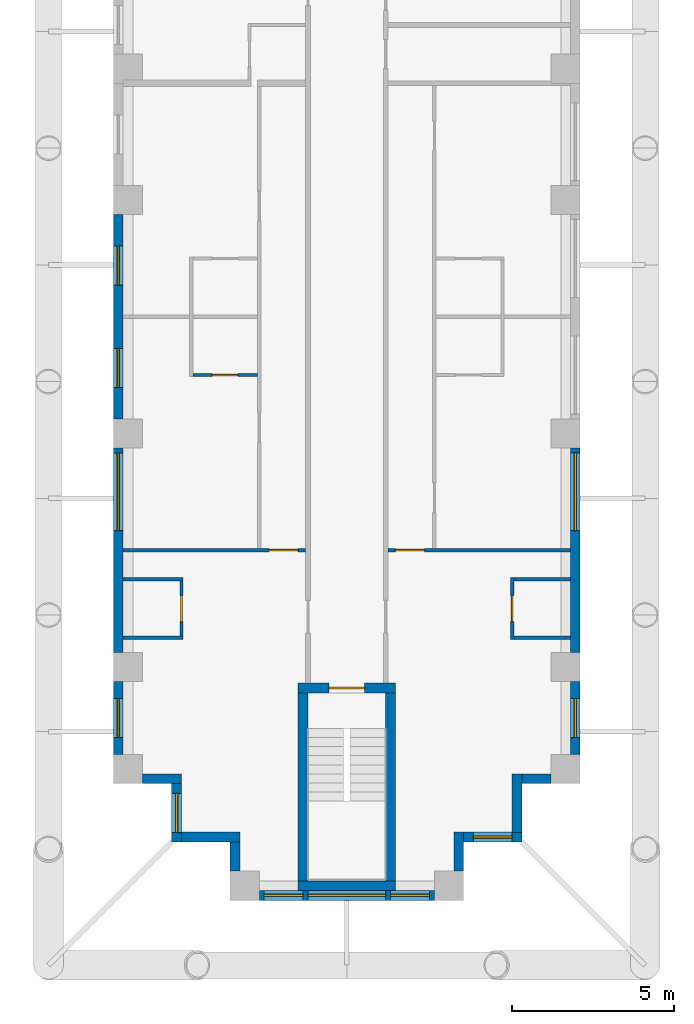
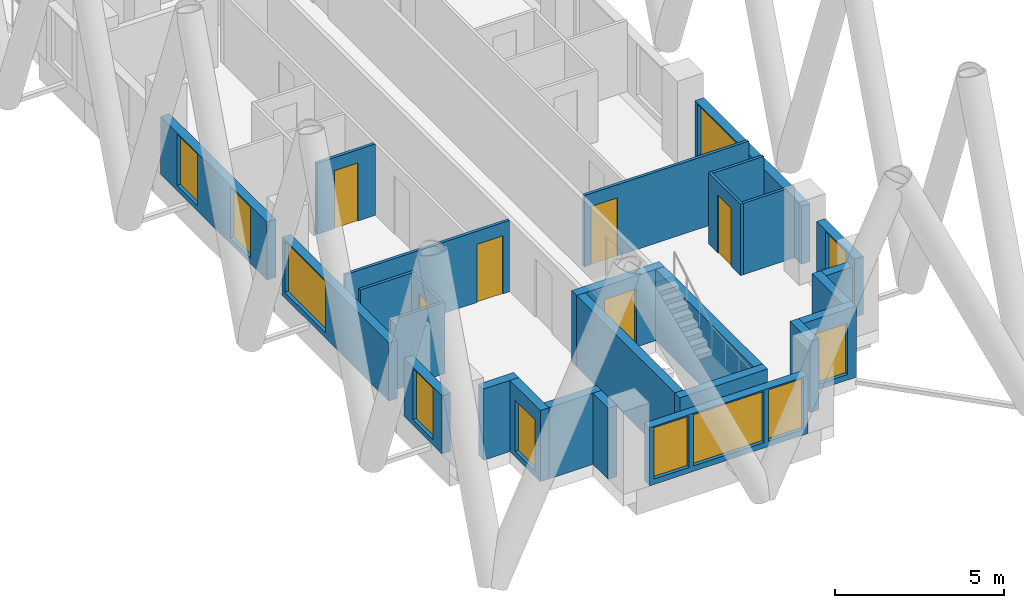
# One storey, part 4 of 17: 27 walls, 11 windows, 6 doors, 17 openings.
"""IFC4 building model written with IfcOpenShell, lengths in metres."""

from ifc_helpers import new_model, si_unit, direction, frame, frame_2d, origin, place, context, subcontext, project, spatial, rectangle, extrude, material, layer, layer_set, type_object, element, fill, save


model = new_model("IFC4")

# Units and contexts
model_context = context("Model", 3, precision=1e-05, world=origin(), true_north=direction((0.0, 1.0)))
body_context = subcontext(model_context, "Body", "Model", "MODEL_VIEW")
ifc_project = project(units=[si_unit("LENGTHUNIT", "METRE"), si_unit("AREAUNIT", "SQUARE_METRE"), si_unit("VOLUMEUNIT", "CUBIC_METRE"), si_unit("PLANEANGLEUNIT", "RADIAN"), si_unit("MASSUNIT", "GRAM", prefix="KILO")], contexts=[model_context])

# Site, building, storey
site_placement = place(None, origin())
site = spatial("IfcSite", under=ifc_project, at=site_placement, CompositionType="ELEMENT")
building_placement = place(site_placement, origin())
building = spatial("IfcBuilding", under=site, at=building_placement, Name="Fustian Cross Tower", CompositionType="ELEMENT")
storey_placement = place(building_placement, frame((0.0, 0.0, 56.699951171875)))
storey = spatial("IfcBuildingStorey", under=building, at=storey_placement, Name="L17", CompositionType="ELEMENT", Elevation=56.699951171875)

# Walls
ifc_material_1 = material(Name="Plasterboard on steel stud", Category="steel")
ifc_layer_1 = layer(ifc_material_1, 0.10009765625)
ifc_layer_set_1 = layer_set([ifc_layer_1], Name="Plasterboard on steel stud")
wall_type_1 = type_object("IfcWallType", Name="PARTITION 100 STUD", PredefinedType="PARTITIONING", material=ifc_layer_set_1)
for number, where, z_axis, x_axis, name in (
    (1, (-6.89990234375, -35.10009765625, 0.0), (0.0, 0.0, 1.0), (1.0, 0.0, 0.0), "Partition 14"),
    (2, (-6.89990234375, -33.300048828125, 0.0), (0.0, 0.0, 1.0), (1.0, 0.0, 0.0), "Partition 15"),
):
    element("IfcWall", number, at=place(storey_placement, frame(where, z_axis=z_axis, x_axis=x_axis)), inside=storey, type_object=wall_type_1, Name=name, PredefinedType="PARTITIONING", context=body_context, shape_type="SweptSolid", body=[
        extrude(rectangle(XDim=1.849853515625, YDim=0.10009765625, at=frame_2d((0.9248046875, 0.0))), origin(), (0.0, 0.0, 1.0), 2.574951171875),
    ])

# Wall, opening, door
wall_1_placement = place(storey_placement, frame((-6.89990234375, -32.39990234375, 0.0), z_axis=(0.0, 0.0, 1.0), x_axis=(1.0, 0.0, 0.0)))
wall_1 = element("IfcWall", 3, at=wall_1_placement, inside=storey, type_object=wall_type_1, Name="Partition 16", PredefinedType="PARTITIONING", context=body_context, shape_type="SweptSolid", body=[
    extrude(rectangle(XDim=5.625, YDim=0.10009765625, at=frame_2d((2.8125, 0.0))), origin(), (0.0, 0.0, 1.0), 2.574951171875),
])
opening_1_placement = place(wall_1_placement, frame((4.5, 0.0, 0.0)))
opening_1 = element("IfcOpeningElement", 4, at=opening_1_placement, cuts=wall_1, Name="Opening D09072", PredefinedType="OPENING", context=body_context, shape_type="SweptSolid", body=[
    extrude(rectangle(XDim=0.89990234375, YDim=2.10009765625, at=frame_2d((0.449951171875, 1.050048828125))), frame((0.0, 0.06005859375, 0.0), z_axis=(0.0, -1.0, 0.0), x_axis=(1.0, 0.0, 0.0)), (0.0, 0.0, 1.0), 0.1201171875),
])
ifc_material_2 = material(Name="Painted timber", Category="wood")
door_type_1 = type_object("IfcDoorType", Name="SWING DOOR 900", OperationType="SINGLE_SWING_LEFT", PredefinedType="DOOR", material=ifc_material_2)
door_1_placement = place(opening_1_placement, origin())
door_1 = element("IfcDoor", 5, at=door_1_placement, inside=storey, type_object=door_type_1, Name="Door D09072", OperationType="SINGLE_SWING_LEFT", OverallHeight=2.10009765625, OverallWidth=0.89990234375, PredefinedType="DOOR", context=body_context, shape_type="SweptSolid", body=[
    extrude(rectangle(XDim=0.89990234375, YDim=2.10009765625, at=frame_2d((0.449951171875, 1.050048828125))), frame((0.0, 0.02490234375, 0.0), z_axis=(0.0, -1.0, 0.0), x_axis=(1.0, 0.0, 0.0)), (0.0, 0.0, 1.0), 0.050048828125),
])
fill(opening_1, door_1)

wall_2_placement = place(storey_placement, frame((-5.10009765625, -35.050048828125, 0.0), z_axis=(0.0, 0.0, 1.0), x_axis=(0.0, 1.0, 0.0)))
wall_2 = element("IfcWall", 6, at=wall_2_placement, inside=storey, type_object=wall_type_1, Name="Partition 24", PredefinedType="PARTITIONING", context=body_context, shape_type="SweptSolid", body=[
    extrude(rectangle(XDim=1.699951171875, YDim=0.10009765625, at=frame_2d((0.85009765625, 0.0))), origin(), (0.0, 0.0, 1.0), 2.574951171875),
])
opening_2_placement = place(wall_2_placement, frame((0.449951171875, 0.0, 0.0)))
opening_2 = element("IfcOpeningElement", 7, at=opening_2_placement, cuts=wall_2, Name="Opening D09068", PredefinedType="OPENING", context=body_context, shape_type="SweptSolid", body=[
    extrude(rectangle(XDim=0.800048828125, YDim=2.10009765625, at=frame_2d((0.39990234375, 1.050048828125))), frame((0.0, 0.06005859375, 0.0), z_axis=(0.0, -1.0, 0.0), x_axis=(1.0, 0.0, 0.0)), (0.0, 0.0, 1.0), 0.1201171875),
])
ifc_material_3 = material(Name="Painted timber", Category="wood")
door_type_2 = type_object("IfcDoorType", Name="SWING DOOR 800", OperationType="SINGLE_SWING_LEFT", PredefinedType="DOOR", material=ifc_material_3)
door_2_placement = place(opening_2_placement, origin())
door_2 = element("IfcDoor", 8, at=door_2_placement, inside=storey, type_object=door_type_2, Name="Door D09068", OperationType="SINGLE_SWING_RIGHT", OverallHeight=2.10009765625, OverallWidth=0.800048828125, PredefinedType="DOOR", context=body_context, shape_type="SweptSolid", body=[
    extrude(rectangle(XDim=0.800048828125, YDim=2.10009765625, at=frame_2d((0.39990234375, 1.050048828125))), frame((0.0, 0.02490234375, 0.0), z_axis=(0.0, -1.0, 0.0), x_axis=(1.0, 0.0, 0.0)), (0.0, 0.0, 1.0), 0.050048828125),
])
fill(opening_2, door_2)

wall_3_placement = place(storey_placement, frame((-4.75, -27.0, 0.0), z_axis=(0.0, 0.0, 1.0), x_axis=(1.0, 0.0, 0.0)))
wall_3 = element("IfcWall", 9, at=wall_3_placement, inside=storey, type_object=wall_type_1, Name="Partition 26", PredefinedType="PARTITIONING", context=body_context, shape_type="SweptSolid", body=[
    extrude(rectangle(XDim=2.0, YDim=0.10009765625, at=frame_2d((1.0, 0.0))), origin(), (0.0, 0.0, 1.0), 2.574951171875),
])
opening_3_placement = place(wall_3_placement, frame((0.60009765625, 0.0, 0.0)))
opening_3 = element("IfcOpeningElement", 10, at=opening_3_placement, cuts=wall_3, Name="Opening D09074", PredefinedType="OPENING", context=body_context, shape_type="SweptSolid", body=[
    extrude(rectangle(XDim=0.800048828125, YDim=2.10009765625, at=frame_2d((0.39990234375, 1.050048828125))), frame((0.0, 0.06005859375, 0.0), z_axis=(0.0, -1.0, 0.0), x_axis=(1.0, 0.0, 0.0)), (0.0, 0.0, 1.0), 0.1201171875),
])
door_3_placement = place(opening_3_placement, origin())
door_3 = element("IfcDoor", 11, at=door_3_placement, inside=storey, type_object=door_type_2, Name="Door D09074", OperationType="SINGLE_SWING_LEFT", OverallHeight=2.10009765625, OverallWidth=0.800048828125, PredefinedType="DOOR", context=body_context, shape_type="SweptSolid", body=[
    extrude(rectangle(XDim=0.800048828125, YDim=2.10009765625, at=frame_2d((0.39990234375, 1.050048828125))), frame((0.0, 0.02490234375, 0.0), z_axis=(0.0, -1.0, 0.0), x_axis=(1.0, 0.0, 0.0)), (0.0, 0.0, 1.0), 0.050048828125),
])
fill(opening_3, door_3)

wall_4_placement = place(storey_placement, frame((1.27490234375, -32.39990234375, 0.0), z_axis=(0.0, 0.0, 1.0), x_axis=(1.0, 0.0, 0.0)))
wall_4 = element("IfcWall", 12, at=wall_4_placement, inside=storey, type_object=wall_type_1, Name="Partition 49", PredefinedType="PARTITIONING", context=body_context, shape_type="SweptSolid", body=[
    extrude(rectangle(XDim=5.625, YDim=0.10009765625, at=frame_2d((2.8125, 0.0))), origin(), (0.0, 0.0, 1.0), 2.574951171875),
])
opening_4_placement = place(wall_4_placement, frame((0.22509765625, 0.0, 0.0)))
opening_4 = element("IfcOpeningElement", 13, at=opening_4_placement, cuts=wall_4, Name="Opening D09059", PredefinedType="OPENING", context=body_context, shape_type="SweptSolid", body=[
    extrude(rectangle(XDim=0.89990234375, YDim=2.10009765625, at=frame_2d((0.449951171875, 1.050048828125))), frame((0.0, 0.06005859375, 0.0), z_axis=(0.0, -1.0, 0.0), x_axis=(1.0, 0.0, 0.0)), (0.0, 0.0, 1.0), 0.1201171875),
])
door_4_placement = place(opening_4_placement, origin())
door_4 = element("IfcDoor", 14, at=door_4_placement, inside=storey, type_object=door_type_1, Name="Door D09059", OperationType="SINGLE_SWING_LEFT", OverallHeight=2.10009765625, OverallWidth=0.89990234375, PredefinedType="DOOR", context=body_context, shape_type="SweptSolid", body=[
    extrude(rectangle(XDim=0.89990234375, YDim=2.10009765625, at=frame_2d((0.449951171875, 1.050048828125))), frame((0.0, 0.02490234375, 0.0), z_axis=(0.0, -1.0, 0.0), x_axis=(1.0, 0.0, 0.0)), (0.0, 0.0, 1.0), 0.050048828125),
])
fill(opening_4, door_4)

wall_5_placement = place(storey_placement, frame((5.10009765625, -35.14990234375, 0.0), z_axis=(0.0, 0.0, 1.0), x_axis=(0.0, 1.0, 0.0)))
wall_5 = element("IfcWall", 15, at=wall_5_placement, inside=storey, type_object=wall_type_1, Name="Partition 80", PredefinedType="PARTITIONING", context=body_context, shape_type="SweptSolid", body=[
    extrude(rectangle(XDim=1.89990234375, YDim=0.10009765625, at=frame_2d((0.949951171875, 0.0))), origin(), (0.0, 0.0, 1.0), 2.574951171875),
])
opening_5_placement = place(wall_5_placement, frame((0.550048828125, 0.0, 0.0)))
opening_5 = element("IfcOpeningElement", 16, at=opening_5_placement, cuts=wall_5, Name="Opening D09057", PredefinedType="OPENING", context=body_context, shape_type="SweptSolid", body=[
    extrude(rectangle(XDim=0.800048828125, YDim=2.10009765625, at=frame_2d((0.39990234375, 1.050048828125))), frame((0.0, 0.06005859375, 0.0), z_axis=(0.0, -1.0, 0.0), x_axis=(1.0, 0.0, 0.0)), (0.0, 0.0, 1.0), 0.1201171875),
])
door_5_placement = place(opening_5_placement, frame((0.800048828125, 0.0, 0.0), z_axis=(0.0, 0.0, 1.0), x_axis=(-1.0, 0.0, 0.0)))
door_5 = element("IfcDoor", 17, at=door_5_placement, inside=storey, type_object=door_type_2, Name="Door D09057", OperationType="SINGLE_SWING_LEFT", OverallHeight=2.10009765625, OverallWidth=0.800048828125, PredefinedType="DOOR", context=body_context, shape_type="SweptSolid", body=[
    extrude(rectangle(XDim=0.800048828125, YDim=2.10009765625, at=frame_2d((0.39990234375, 1.050048828125))), frame((0.0, 0.02490234375, 0.0), z_axis=(0.0, -1.0, 0.0), x_axis=(1.0, 0.0, 0.0)), (0.0, 0.0, 1.0), 0.050048828125),
])
fill(opening_5, door_5)

# Walls
for number, where, z_axis, x_axis, name in (
    (18, (5.14990234375, -35.10009765625, 0.0), (0.0, 0.0, 1.0), (1.0, 0.0, 0.0), "Partition 81"),
    (19, (5.14990234375, -33.300048828125, 0.0), (0.0, 0.0, 1.0), (1.0, 0.0, 0.0), "Partition 82"),
):
    element("IfcWall", number, at=place(storey_placement, frame(where, z_axis=z_axis, x_axis=x_axis)), inside=storey, type_object=wall_type_1, Name=name, PredefinedType="PARTITIONING", context=body_context, shape_type="SweptSolid", body=[
        extrude(rectangle(XDim=1.75, YDim=0.10009765625, at=frame_2d((0.875, 0.0))), origin(), (0.0, 0.0, 1.0), 2.574951171875),
    ])

# Wall, opening, door
ifc_material_4 = material(Name="Concrete C50/60", Category="concrete")
ifc_layer_2 = layer(ifc_material_4, 0.300048828125)
ifc_layer_set_2 = layer_set([ifc_layer_2], Name="Concrete C50/60")
wall_type_2 = type_object("IfcWallType", Name="STAIR ENCLOSURE WALL 300 C50/60", PredefinedType="SHEAR", material=ifc_layer_set_2)
wall_6_placement = place(storey_placement, frame((-1.5, -36.64990234375, 0.0), z_axis=(0.0, 0.0, 1.0), x_axis=(1.0, 0.0, 0.0)))
wall_6 = element("IfcWall", 20, at=wall_6_placement, inside=storey, type_object=wall_type_2, Name="Stair enclosure wall", PredefinedType="SHEAR", context=body_context, shape_type="SweptSolid", body=[
    extrude(rectangle(XDim=3.0, YDim=0.300048828125, at=frame_2d((1.5, 0.0))), origin(), (0.0, 0.0, 1.0), 2.574951171875),
])
opening_6_placement = place(wall_6_placement, frame((0.949951171875, 0.0, 0.0)))
opening_6 = element("IfcOpeningElement", 21, at=opening_6_placement, cuts=wall_6, Name="Opening CD-06-32", PredefinedType="OPENING", context=body_context, shape_type="SweptSolid", body=[
    extrude(rectangle(XDim=1.10009765625, YDim=2.10009765625, at=frame_2d((0.550048828125, 1.050048828125))), frame((0.0, 0.159912109375, 0.0), z_axis=(0.0, -1.0, 0.0), x_axis=(1.0, 0.0, 0.0)), (0.0, 0.0, 1.0), 0.320068359375),
])
ifc_material_5 = material(Name="Steel", Category="steel")
door_type_3 = type_object("IfcDoorType", Name="FIRE DOOR FD60S 1100X2100", OperationType="SINGLE_SWING_LEFT", PredefinedType="DOOR", material=ifc_material_5)
door_6_placement = place(opening_6_placement, frame((1.10009765625, 0.0, 0.0), z_axis=(0.0, 0.0, 1.0), x_axis=(-1.0, 0.0, 0.0)))
door_6 = element("IfcDoor", 22, at=door_6_placement, inside=storey, type_object=door_type_3, Name="Core door CD-06-32", OperationType="SINGLE_SWING_RIGHT", OverallHeight=2.10009765625, OverallWidth=1.10009765625, PredefinedType="DOOR", context=body_context, shape_type="SweptSolid", body=[
    extrude(rectangle(XDim=1.10009765625, YDim=2.10009765625, at=frame_2d((0.550048828125, 1.050048828125))), frame((0.0, 0.02490234375, 0.0), z_axis=(0.0, -1.0, 0.0), x_axis=(1.0, 0.0, 0.0)), (0.0, 0.0, 1.0), 0.050048828125),
])
fill(opening_6, door_6)

# Walls
wall_7_placement = place(storey_placement, frame((-1.5, -42.75, 0.0), z_axis=(0.0, 0.0, 1.0), x_axis=(1.0, 0.0, 0.0)))
element("IfcWall", 23, at=wall_7_placement, inside=storey, type_object=wall_type_2, Name="Stair enclosure wall", PredefinedType="SHEAR", context=body_context, shape_type="SweptSolid", body=[
    extrude(rectangle(XDim=3.0, YDim=0.300048828125, at=frame_2d((1.5, 0.0))), origin(), (0.0, 0.0, 1.0), 2.574951171875),
])
for number, where, z_axis, x_axis, name in (
    (24, (-1.35009765625, -36.800048828125, 0.0), (0.0, 0.0, 1.0), (0.0, -1.0, 0.0), "Stair enclosure wall"),
    (25, (1.35009765625, -36.800048828125, 0.0), (0.0, 0.0, 1.0), (0.0, -1.0, 0.0), "Stair enclosure wall"),
):
    element("IfcWall", number, at=place(storey_placement, frame(where, z_axis=z_axis, x_axis=x_axis)), inside=storey, type_object=wall_type_2, Name=name, PredefinedType="SHEAR", context=body_context, shape_type="SweptSolid", body=[
        extrude(rectangle(XDim=5.800048828125, YDim=0.300048828125, at=frame_2d((2.89990234375, 0.0))), origin(), (0.0, 0.0, 1.0), 2.574951171875),
    ])

# Wall, openings, windows
ifc_material_6 = material(Name="Dark aluminium cladding on insulated backing wall", Category="aluminium")
ifc_layer_3 = layer(ifc_material_6, 0.300048828125)
ifc_layer_set_3 = layer_set([ifc_layer_3], Name="Dark aluminium cladding on insulated backing wall")
wall_type_3 = type_object("IfcWallType", Name="XW1 EXTERNAL WALL 300", PredefinedType="SOLIDWALL", material=ifc_layer_set_3)
wall_8_placement = place(storey_placement, frame((-7.050048828125, -22.050048828125, 0.0), z_axis=(0.0, 0.0, 1.0), x_axis=(0.0, -1.0, 0.0)))
wall_8 = element("IfcWall", 26, at=wall_8_placement, inside=storey, type_object=wall_type_3, Name="External wall", PredefinedType="SOLIDWALL", context=body_context, shape_type="SweptSolid", body=[
    extrude(rectangle(XDim=6.300048828125, YDim=0.300048828125, at=frame_2d((3.14990234375, 0.0))), origin(), (0.0, 0.0, 1.0), 2.10009765625),
])
opening_7_placement = place(wall_8_placement, frame((0.97509765625, 0.0, 0.199951171875)))
opening_7 = element("IfcOpeningElement", 27, at=opening_7_placement, cuts=wall_8, Name="Opening WN3", PredefinedType="OPENING", context=body_context, shape_type="SweptSolid", body=[
    extrude(rectangle(XDim=1.199951171875, YDim=1.85009765625, at=frame_2d((0.60009765625, 0.925048828125))), frame((0.0, 0.159912109375, 0.0), z_axis=(0.0, -1.0, 0.0), x_axis=(1.0, 0.0, 0.0)), (0.0, 0.0, 1.0), 0.320068359375),
])
opening_8_placement = place(wall_8_placement, frame((4.125, 0.0, 0.199951171875)))
opening_8 = element("IfcOpeningElement", 28, at=opening_8_placement, cuts=wall_8, Name="Opening WN3", PredefinedType="OPENING", context=body_context, shape_type="SweptSolid", body=[
    extrude(rectangle(XDim=1.199951171875, YDim=1.85009765625, at=frame_2d((0.60009765625, 0.925048828125))), frame((0.0, 0.159912109375, 0.0), z_axis=(0.0, -1.0, 0.0), x_axis=(1.0, 0.0, 0.0)), (0.0, 0.0, 1.0), 0.320068359375),
])
ifc_material_7 = material(Name="Dark anodised aluminium and double glazing", Category="aluminium")
window_type_1 = type_object("IfcWindowType", Name="WN3 WINDOW 1200X1850", PartitioningType="SINGLE_PANEL", PredefinedType="WINDOW", material=ifc_material_7)
window_1_placement = place(opening_7_placement, origin())
window_1 = element("IfcWindow", 29, at=window_1_placement, inside=storey, type_object=window_type_1, Name="Window", OverallHeight=1.85009765625, OverallWidth=1.199951171875, PartitioningType="SINGLE_PANEL", PredefinedType="WINDOW", context=body_context, shape_type="SweptSolid", body=[
    extrude(rectangle(XDim=1.199951171875, YDim=1.85009765625, at=frame_2d((0.60009765625, 0.925048828125))), frame((0.0, 0.030029296875, 0.0), z_axis=(0.0, -1.0, 0.0), x_axis=(1.0, 0.0, 0.0)), (0.0, 0.0, 1.0), 0.06005859375),
])
fill(opening_7, window_1)
window_2_placement = place(opening_8_placement, origin())
window_2 = element("IfcWindow", 30, at=window_2_placement, inside=storey, type_object=window_type_1, Name="Window", OverallHeight=1.85009765625, OverallWidth=1.199951171875, PartitioningType="SINGLE_PANEL", PredefinedType="WINDOW", context=body_context, shape_type="SweptSolid", body=[
    extrude(rectangle(XDim=1.199951171875, YDim=1.85009765625, at=frame_2d((0.60009765625, 0.925048828125))), frame((0.0, 0.030029296875, 0.0), z_axis=(0.0, -1.0, 0.0), x_axis=(1.0, 0.0, 0.0)), (0.0, 0.0, 1.0), 0.06005859375),
])
fill(opening_8, window_2)

# Wall, opening, window
wall_9_placement = place(storey_placement, frame((-7.050048828125, -29.25, 0.0), z_axis=(0.0, 0.0, 1.0), x_axis=(0.0, -1.0, 0.0)))
wall_9 = element("IfcWall", 31, at=wall_9_placement, inside=storey, type_object=wall_type_3, Name="External wall", PredefinedType="SOLIDWALL", context=body_context, shape_type="SweptSolid", body=[
    extrude(rectangle(XDim=6.300048828125, YDim=0.300048828125, at=frame_2d((3.14990234375, 0.0))), origin(), (0.0, 0.0, 1.0), 2.10009765625),
])
opening_9_placement = place(wall_9_placement, frame((0.14990234375, 0.0, 0.199951171875)))
opening_9 = element("IfcOpeningElement", 32, at=opening_9_placement, cuts=wall_9, Name="Opening WN1", PredefinedType="OPENING", context=body_context, shape_type="SweptSolid", body=[
    extrude(rectangle(XDim=2.39990234375, YDim=1.85009765625, at=frame_2d((1.199951171875, 0.925048828125))), frame((0.0, 0.159912109375, 0.0), z_axis=(0.0, -1.0, 0.0), x_axis=(1.0, 0.0, 0.0)), (0.0, 0.0, 1.0), 0.320068359375),
])
ifc_material_8 = material(Name="Dark anodised aluminium and double glazing", Category="aluminium")
window_type_2 = type_object("IfcWindowType", Name="WN1 WINDOW 2400X1850", PartitioningType="SINGLE_PANEL", PredefinedType="WINDOW", material=ifc_material_8)
window_3_placement = place(opening_9_placement, origin())
window_3 = element("IfcWindow", 33, at=window_3_placement, inside=storey, type_object=window_type_2, Name="Window", OverallHeight=1.85009765625, OverallWidth=2.39990234375, PartitioningType="SINGLE_PANEL", PredefinedType="WINDOW", context=body_context, shape_type="SweptSolid", body=[
    extrude(rectangle(XDim=2.39990234375, YDim=1.85009765625, at=frame_2d((1.199951171875, 0.925048828125))), frame((0.0, 0.030029296875, 0.0), z_axis=(0.0, -1.0, 0.0), x_axis=(1.0, 0.0, 0.0)), (0.0, 0.0, 1.0), 0.06005859375),
])
fill(opening_9, window_3)

wall_10_placement = place(storey_placement, frame((-7.050048828125, -36.449951171875, 0.0), z_axis=(0.0, 0.0, 1.0), x_axis=(0.0, -1.0, 0.0)))
wall_10 = element("IfcWall", 34, at=wall_10_placement, inside=storey, type_object=wall_type_3, Name="External wall", PredefinedType="SOLIDWALL", context=body_context, shape_type="SweptSolid", body=[
    extrude(rectangle(XDim=2.25, YDim=0.300048828125, at=frame_2d((1.125, 0.0))), origin(), (0.0, 0.0, 1.0), 2.10009765625),
])
opening_10_placement = place(wall_10_placement, frame((0.52490234375, 0.0, 0.199951171875)))
opening_10 = element("IfcOpeningElement", 35, at=opening_10_placement, cuts=wall_10, Name="Opening WN3", PredefinedType="OPENING", context=body_context, shape_type="SweptSolid", body=[
    extrude(rectangle(XDim=1.199951171875, YDim=1.85009765625, at=frame_2d((0.60009765625, 0.925048828125))), frame((0.0, 0.159912109375, 0.0), z_axis=(0.0, -1.0, 0.0), x_axis=(1.0, 0.0, 0.0)), (0.0, 0.0, 1.0), 0.320068359375),
])
window_4_placement = place(opening_10_placement, origin())
window_4 = element("IfcWindow", 36, at=window_4_placement, inside=storey, type_object=window_type_1, Name="Window", OverallHeight=1.85009765625, OverallWidth=1.199951171875, PartitioningType="SINGLE_PANEL", PredefinedType="WINDOW", context=body_context, shape_type="SweptSolid", body=[
    extrude(rectangle(XDim=1.199951171875, YDim=1.85009765625, at=frame_2d((0.60009765625, 0.925048828125))), frame((0.0, 0.030029296875, 0.0), z_axis=(0.0, -1.0, 0.0), x_axis=(1.0, 0.0, 0.0)), (0.0, 0.0, 1.0), 0.06005859375),
])
fill(opening_10, window_4)

# Wall
wall_11_placement = place(storey_placement, frame((-6.300048828125, -39.449951171875, 0.0), z_axis=(0.0, 0.0, 1.0), x_axis=(1.0, 0.0, 0.0)))
element("IfcWall", 37, at=wall_11_placement, inside=storey, type_object=wall_type_3, Name="External wall", PredefinedType="SOLIDWALL", context=body_context, shape_type="SweptSolid", body=[
    extrude(rectangle(XDim=1.199951171875, YDim=0.300048828125, at=frame_2d((0.60009765625, 0.0))), origin(), (0.0, 0.0, 1.0), 2.574951171875),
])

# Wall, opening, window
wall_12_placement = place(storey_placement, frame((-5.25, -39.60009765625, 0.0), z_axis=(0.0, 0.0, 1.0), x_axis=(0.0, -1.0, 0.0)))
wall_12 = element("IfcWall", 38, at=wall_12_placement, inside=storey, type_object=wall_type_3, Name="External wall", PredefinedType="SOLIDWALL", context=body_context, shape_type="SweptSolid", body=[
    extrude(rectangle(XDim=1.7998046875, YDim=0.300048828125, at=frame_2d((0.89990234375, 0.0))), origin(), (0.0, 0.0, 1.0), 2.574951171875),
])
opening_11_placement = place(wall_12_placement, frame((0.300048828125, 0.0, 0.199951171875)))
opening_11 = element("IfcOpeningElement", 39, at=opening_11_placement, cuts=wall_12, Name="Opening WN3", PredefinedType="OPENING", context=body_context, shape_type="SweptSolid", body=[
    extrude(rectangle(XDim=1.199951171875, YDim=1.85009765625, at=frame_2d((0.60009765625, 0.925048828125))), frame((0.0, 0.159912109375, 0.0), z_axis=(0.0, -1.0, 0.0), x_axis=(1.0, 0.0, 0.0)), (0.0, 0.0, 1.0), 0.320068359375),
])
window_5_placement = place(opening_11_placement, origin())
window_5 = element("IfcWindow", 40, at=window_5_placement, inside=storey, type_object=window_type_1, Name="Window", OverallHeight=1.85009765625, OverallWidth=1.199951171875, PartitioningType="SINGLE_PANEL", PredefinedType="WINDOW", context=body_context, shape_type="SweptSolid", body=[
    extrude(rectangle(XDim=1.199951171875, YDim=1.85009765625, at=frame_2d((0.60009765625, 0.925048828125))), frame((0.0, 0.030029296875, 0.0), z_axis=(0.0, -1.0, 0.0), x_axis=(1.0, 0.0, 0.0)), (0.0, 0.0, 1.0), 0.06005859375),
])
fill(opening_11, window_5)

# Walls
wall_13_placement = place(storey_placement, frame((-5.10009765625, -41.25, 0.0), z_axis=(0.0, 0.0, 1.0), x_axis=(1.0, 0.0, 0.0)))
element("IfcWall", 41, at=wall_13_placement, inside=storey, type_object=wall_type_3, Name="External wall", PredefinedType="SOLIDWALL", context=body_context, shape_type="SweptSolid", body=[
    extrude(rectangle(XDim=1.800048828125, YDim=0.300048828125, at=frame_2d((0.89990234375, 0.0))), origin(), (0.0, 0.0, 1.0), 2.574951171875),
])
wall_14_placement = place(storey_placement, frame((-3.449951171875, -41.39990234375, 0.0), z_axis=(0.0, 0.0, 1.0), x_axis=(0.0, -1.0, 0.0)))
element("IfcWall", 42, at=wall_14_placement, inside=storey, type_object=wall_type_3, Name="External wall", PredefinedType="SOLIDWALL", context=body_context, shape_type="SweptSolid", body=[
    extrude(rectangle(XDim=0.900146484375, YDim=0.300048828125, at=frame_2d((0.4501953125, 0.0))), origin(), (0.0, 0.0, 1.0), 2.574951171875),
])

# Wall, openings, windows
wall_15_placement = place(storey_placement, frame((-2.699951171875, -43.050048828125, 0.0), z_axis=(0.0, 0.0, 1.0), x_axis=(1.0, 0.0, 0.0)))
wall_15 = element("IfcWall", 43, at=wall_15_placement, inside=storey, type_object=wall_type_3, Name="External wall", PredefinedType="SOLIDWALL", context=body_context, shape_type="SweptSolid", body=[
    extrude(rectangle(XDim=5.39990234375, YDim=0.300048828125, at=frame_2d((2.699951171875, 0.0))), origin(), (0.0, 0.0, 1.0), 2.10009765625),
])
opening_12_placement = place(wall_15_placement, frame((1.5, 0.0, 0.199951171875)))
opening_12 = element("IfcOpeningElement", 44, at=opening_12_placement, cuts=wall_15, Name="Opening WN1", PredefinedType="OPENING", context=body_context, shape_type="SweptSolid", body=[
    extrude(rectangle(XDim=2.39990234375, YDim=1.85009765625, at=frame_2d((1.199951171875, 0.925048828125))), frame((0.0, 0.159912109375, 0.0), z_axis=(0.0, -1.0, 0.0), x_axis=(1.0, 0.0, 0.0)), (0.0, 0.0, 1.0), 0.320068359375),
])
opening_13_placement = place(wall_15_placement, frame((0.14990234375, 0.0, 0.199951171875)))
opening_13 = element("IfcOpeningElement", 45, at=opening_13_placement, cuts=wall_15, Name="Opening WN3", PredefinedType="OPENING", context=body_context, shape_type="SweptSolid", body=[
    extrude(rectangle(XDim=1.199951171875, YDim=1.85009765625, at=frame_2d((0.60009765625, 0.925048828125))), frame((0.0, 0.159912109375, 0.0), z_axis=(0.0, -1.0, 0.0), x_axis=(1.0, 0.0, 0.0)), (0.0, 0.0, 1.0), 0.320068359375),
])
opening_14_placement = place(wall_15_placement, frame((4.050048828125, 0.0, 0.199951171875)))
opening_14 = element("IfcOpeningElement", 46, at=opening_14_placement, cuts=wall_15, Name="Opening WN3", PredefinedType="OPENING", context=body_context, shape_type="SweptSolid", body=[
    extrude(rectangle(XDim=1.199951171875, YDim=1.85009765625, at=frame_2d((0.60009765625, 0.925048828125))), frame((0.0, 0.159912109375, 0.0), z_axis=(0.0, -1.0, 0.0), x_axis=(1.0, 0.0, 0.0)), (0.0, 0.0, 1.0), 0.320068359375),
])
window_6_placement = place(opening_12_placement, origin())
window_6 = element("IfcWindow", 47, at=window_6_placement, inside=storey, type_object=window_type_2, Name="Window", OverallHeight=1.85009765625, OverallWidth=2.39990234375, PartitioningType="SINGLE_PANEL", PredefinedType="WINDOW", context=body_context, shape_type="SweptSolid", body=[
    extrude(rectangle(XDim=2.39990234375, YDim=1.85009765625, at=frame_2d((1.199951171875, 0.925048828125))), frame((0.0, 0.030029296875, 0.0), z_axis=(0.0, -1.0, 0.0), x_axis=(1.0, 0.0, 0.0)), (0.0, 0.0, 1.0), 0.06005859375),
])
fill(opening_12, window_6)
window_7_placement = place(opening_13_placement, origin())
window_7 = element("IfcWindow", 48, at=window_7_placement, inside=storey, type_object=window_type_1, Name="Window", OverallHeight=1.85009765625, OverallWidth=1.199951171875, PartitioningType="SINGLE_PANEL", PredefinedType="WINDOW", context=body_context, shape_type="SweptSolid", body=[
    extrude(rectangle(XDim=1.199951171875, YDim=1.85009765625, at=frame_2d((0.60009765625, 0.925048828125))), frame((0.0, 0.030029296875, 0.0), z_axis=(0.0, -1.0, 0.0), x_axis=(1.0, 0.0, 0.0)), (0.0, 0.0, 1.0), 0.06005859375),
])
fill(opening_13, window_7)
window_8_placement = place(opening_14_placement, origin())
window_8 = element("IfcWindow", 49, at=window_8_placement, inside=storey, type_object=window_type_1, Name="Window", OverallHeight=1.85009765625, OverallWidth=1.199951171875, PartitioningType="SINGLE_PANEL", PredefinedType="WINDOW", context=body_context, shape_type="SweptSolid", body=[
    extrude(rectangle(XDim=1.199951171875, YDim=1.85009765625, at=frame_2d((0.60009765625, 0.925048828125))), frame((0.0, 0.030029296875, 0.0), z_axis=(0.0, -1.0, 0.0), x_axis=(1.0, 0.0, 0.0)), (0.0, 0.0, 1.0), 0.06005859375),
])
fill(opening_14, window_8)

# Wall
wall_16_placement = place(storey_placement, frame((3.449951171875, -42.300048828125, 0.0), z_axis=(0.0, 0.0, 1.0), x_axis=(0.0, 1.0, 0.0)))
element("IfcWall", 50, at=wall_16_placement, inside=storey, type_object=wall_type_3, Name="External wall", PredefinedType="SOLIDWALL", context=body_context, shape_type="SweptSolid", body=[
    extrude(rectangle(XDim=1.199951171875, YDim=0.300048828125, at=frame_2d((0.60009765625, 0.0))), origin(), (0.0, 0.0, 1.0), 2.574951171875),
])

# Wall, opening, window
wall_17_placement = place(storey_placement, frame((3.60009765625, -41.25, 0.0), z_axis=(0.0, 0.0, 1.0), x_axis=(1.0, 0.0, 0.0)))
wall_17 = element("IfcWall", 51, at=wall_17_placement, inside=storey, type_object=wall_type_3, Name="External wall", PredefinedType="SOLIDWALL", context=body_context, shape_type="SweptSolid", body=[
    extrude(rectangle(XDim=1.7998046875, YDim=0.300048828125, at=frame_2d((0.89990234375, 0.0))), origin(), (0.0, 0.0, 1.0), 2.574951171875),
])
opening_15_placement = place(wall_17_placement, frame((0.300048828125, 0.0, 0.199951171875)))
opening_15 = element("IfcOpeningElement", 52, at=opening_15_placement, cuts=wall_17, Name="Opening WN3", PredefinedType="OPENING", context=body_context, shape_type="SweptSolid", body=[
    extrude(rectangle(XDim=1.199951171875, YDim=1.85009765625, at=frame_2d((0.60009765625, 0.925048828125))), frame((0.0, 0.159912109375, 0.0), z_axis=(0.0, -1.0, 0.0), x_axis=(1.0, 0.0, 0.0)), (0.0, 0.0, 1.0), 0.320068359375),
])
window_9_placement = place(opening_15_placement, origin())
window_9 = element("IfcWindow", 53, at=window_9_placement, inside=storey, type_object=window_type_1, Name="Window", OverallHeight=1.85009765625, OverallWidth=1.199951171875, PartitioningType="SINGLE_PANEL", PredefinedType="WINDOW", context=body_context, shape_type="SweptSolid", body=[
    extrude(rectangle(XDim=1.199951171875, YDim=1.85009765625, at=frame_2d((0.60009765625, 0.925048828125))), frame((0.0, 0.030029296875, 0.0), z_axis=(0.0, -1.0, 0.0), x_axis=(1.0, 0.0, 0.0)), (0.0, 0.0, 1.0), 0.06005859375),
])
fill(opening_15, window_9)

# Walls
wall_18_placement = place(storey_placement, frame((5.25, -41.10009765625, 0.0), z_axis=(0.0, 0.0, 1.0), x_axis=(0.0, 1.0, 0.0)))
element("IfcWall", 54, at=wall_18_placement, inside=storey, type_object=wall_type_3, Name="External wall", PredefinedType="SOLIDWALL", context=body_context, shape_type="SweptSolid", body=[
    extrude(rectangle(XDim=1.800048828125, YDim=0.300048828125, at=frame_2d((0.89990234375, 0.0))), origin(), (0.0, 0.0, 1.0), 2.574951171875),
])
wall_19_placement = place(storey_placement, frame((5.39990234375, -39.449951171875, 0.0), z_axis=(0.0, 0.0, 1.0), x_axis=(1.0, 0.0, 0.0)))
element("IfcWall", 55, at=wall_19_placement, inside=storey, type_object=wall_type_3, Name="External wall", PredefinedType="SOLIDWALL", context=body_context, shape_type="SweptSolid", body=[
    extrude(rectangle(XDim=0.900146484375, YDim=0.300048828125, at=frame_2d((0.4501953125, 0.0))), origin(), (0.0, 0.0, 1.0), 2.574951171875),
])

# Wall, opening, window
wall_20_placement = place(storey_placement, frame((7.050048828125, -38.699951171875, 0.0), z_axis=(0.0, 0.0, 1.0), x_axis=(0.0, 1.0, 0.0)))
wall_20 = element("IfcWall", 56, at=wall_20_placement, inside=storey, type_object=wall_type_3, Name="External wall", PredefinedType="SOLIDWALL", context=body_context, shape_type="SweptSolid", body=[
    extrude(rectangle(XDim=2.25, YDim=0.300048828125, at=frame_2d((1.125, 0.0))), origin(), (0.0, 0.0, 1.0), 2.10009765625),
])
opening_16_placement = place(wall_20_placement, frame((0.52490234375, 0.0, 0.199951171875)))
opening_16 = element("IfcOpeningElement", 57, at=opening_16_placement, cuts=wall_20, Name="Opening WN3", PredefinedType="OPENING", context=body_context, shape_type="SweptSolid", body=[
    extrude(rectangle(XDim=1.199951171875, YDim=1.85009765625, at=frame_2d((0.60009765625, 0.925048828125))), frame((0.0, 0.159912109375, 0.0), z_axis=(0.0, -1.0, 0.0), x_axis=(1.0, 0.0, 0.0)), (0.0, 0.0, 1.0), 0.320068359375),
])
window_10_placement = place(opening_16_placement, origin())
window_10 = element("IfcWindow", 58, at=window_10_placement, inside=storey, type_object=window_type_1, Name="Window", OverallHeight=1.85009765625, OverallWidth=1.199951171875, PartitioningType="SINGLE_PANEL", PredefinedType="WINDOW", context=body_context, shape_type="SweptSolid", body=[
    extrude(rectangle(XDim=1.199951171875, YDim=1.85009765625, at=frame_2d((0.60009765625, 0.925048828125))), frame((0.0, 0.030029296875, 0.0), z_axis=(0.0, -1.0, 0.0), x_axis=(1.0, 0.0, 0.0)), (0.0, 0.0, 1.0), 0.06005859375),
])
fill(opening_16, window_10)

wall_21_placement = place(storey_placement, frame((7.050048828125, -35.550048828125, 0.0), z_axis=(0.0, 0.0, 1.0), x_axis=(0.0, 1.0, 0.0)))
wall_21 = element("IfcWall", 59, at=wall_21_placement, inside=storey, type_object=wall_type_3, Name="External wall", PredefinedType="SOLIDWALL", context=body_context, shape_type="SweptSolid", body=[
    extrude(rectangle(XDim=6.300048828125, YDim=0.300048828125, at=frame_2d((3.14990234375, 0.0))), origin(), (0.0, 0.0, 1.0), 2.10009765625),
])
opening_17_placement = place(wall_21_placement, frame((3.75, 0.0, 0.199951171875)))
opening_17 = element("IfcOpeningElement", 60, at=opening_17_placement, cuts=wall_21, Name="Opening WN1", PredefinedType="OPENING", context=body_context, shape_type="SweptSolid", body=[
    extrude(rectangle(XDim=2.39990234375, YDim=1.85009765625, at=frame_2d((1.199951171875, 0.925048828125))), frame((0.0, 0.159912109375, 0.0), z_axis=(0.0, -1.0, 0.0), x_axis=(1.0, 0.0, 0.0)), (0.0, 0.0, 1.0), 0.320068359375),
])
window_11_placement = place(opening_17_placement, origin())
window_11 = element("IfcWindow", 61, at=window_11_placement, inside=storey, type_object=window_type_2, Name="Window", OverallHeight=1.85009765625, OverallWidth=2.39990234375, PartitioningType="SINGLE_PANEL", PredefinedType="WINDOW", context=body_context, shape_type="SweptSolid", body=[
    extrude(rectangle(XDim=2.39990234375, YDim=1.85009765625, at=frame_2d((1.199951171875, 0.925048828125))), frame((0.0, 0.030029296875, 0.0), z_axis=(0.0, -1.0, 0.0), x_axis=(1.0, 0.0, 0.0)), (0.0, 0.0, 1.0), 0.06005859375),
])
fill(opening_17, window_11)

save(model, "model.ifc")
